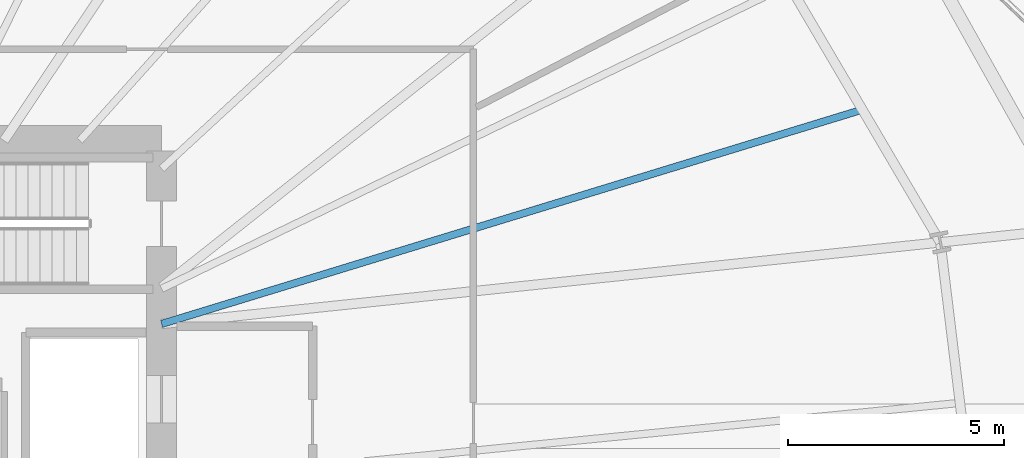
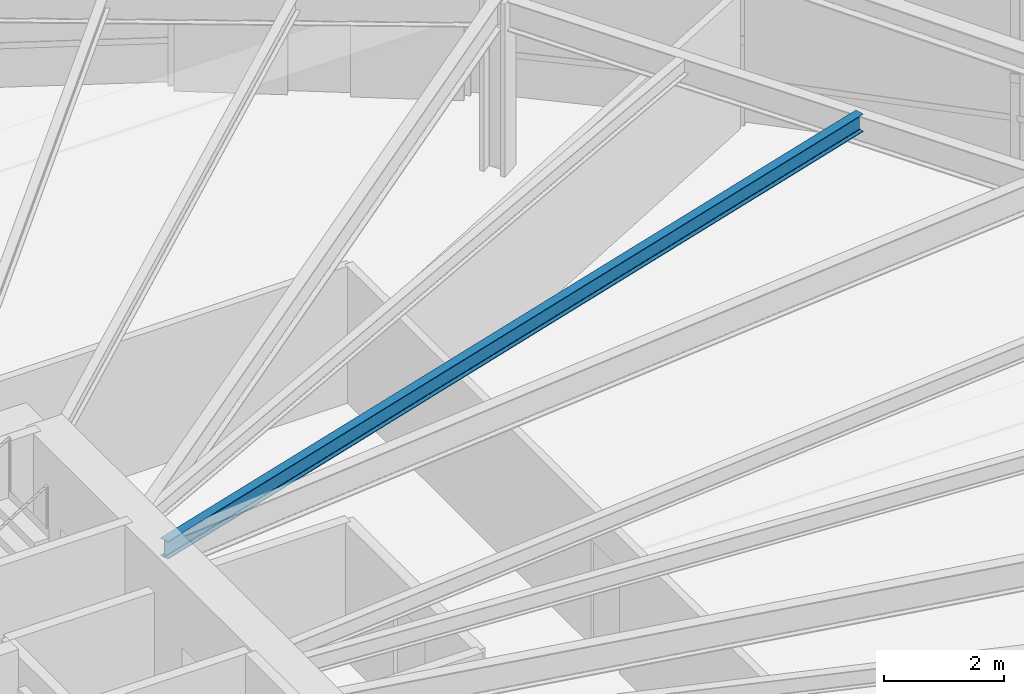
# One storey, part 25 of 39: 1 beam.
"""IFC4 building model written with IfcOpenShell, lengths in metres."""

from ifc_helpers import new_model, si_unit, direction, frame, origin, origin_2d, place, context, subcontext, project, spatial, i_section, extrude, source, transform, mapped, material, material_profile, profile_set, type_object, element, save


model = new_model("IFC4")

# Units and contexts
model_context = context("Model", 3, precision=1e-05, world=origin(), true_north=direction((0.0, 1.0)))
body_context = subcontext(model_context, "Body", "Model", "MODEL_VIEW")
ifc_project = project(units=[si_unit("LENGTHUNIT", "METRE"), si_unit("AREAUNIT", "SQUARE_METRE"), si_unit("VOLUMEUNIT", "CUBIC_METRE"), si_unit("PLANEANGLEUNIT", "RADIAN"), si_unit("MASSUNIT", "GRAM", prefix="KILO"), si_unit("THERMODYNAMICTEMPERATUREUNIT", "KELVIN")], contexts=[model_context])

# Site, building, storey
site_placement = place(None, origin())
site = spatial("IfcSite", under=ifc_project, at=site_placement, CompositionType="ELEMENT")
building_placement = place(site_placement, origin())
building = spatial("IfcBuilding", under=site, at=building_placement, Name="Kethvar Cultural Tower", CompositionType="ELEMENT")
storey_placement = place(building_placement, frame((0.0, 0.0, 44.800048828125)))
storey = spatial("IfcBuildingStorey", under=building, at=storey_placement, Name="L10", CompositionType="ELEMENT", Elevation=44.800048828125)

# Beam
ifc_material = material(Name="Steel S355J2", Category="steel")
ifc_material_profile = material_profile(ifc_material, i_section(OverallWidth=0.169921875, OverallDepth=0.360107421875, WebThickness=0.008056640625, FlangeThickness=0.0126953125, FilletRadius=0.01806640625, at=origin_2d()), Name="Steel S355J2 — IPE360")
ifc_profile_set = profile_set([ifc_material_profile], Name="Steel S355J2 — IPE360")
beam_type = type_object("IfcBeamType", Name="BM-J360", PredefinedType="JOIST", material=ifc_profile_set)
shared_shape = source(origin(), body_context, "Body", "SweptSolid", [
    extrude(i_section(OverallWidth=0.169921875, OverallDepth=0.360107421875, WebThickness=0.008056640625, FlangeThickness=0.0126953125, FilletRadius=0.01806640625, at=origin_2d()), origin(), (0.0, 0.0, 1.0), 16.990478515625),
])
beam_placement = place(storey_placement, frame((55.60009765625, 31.25, 3.367919921875), z_axis=(0.956287408668, 0.292428439149, 0.0), x_axis=(-0.292428439149, 0.956287408668, 0.0)))
element("IfcBeam", 1, at=beam_placement, inside=storey, type_object=beam_type, Name="L10 Composite Floor Joist J-01A", PredefinedType="JOIST", context=body_context, shape_type="MappedRepresentation", body=[
    mapped(shared_shape, transform((0.0, 0.0, 0.0), scale=1.0)),
])

save(model, "model.ifc")
